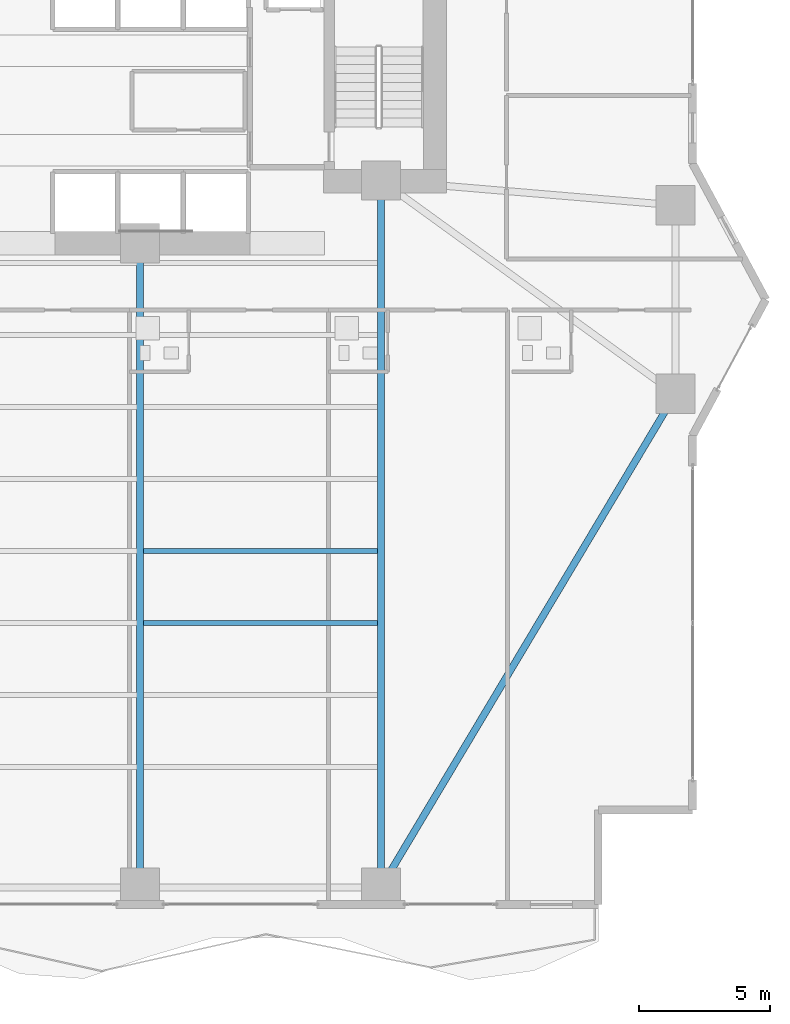
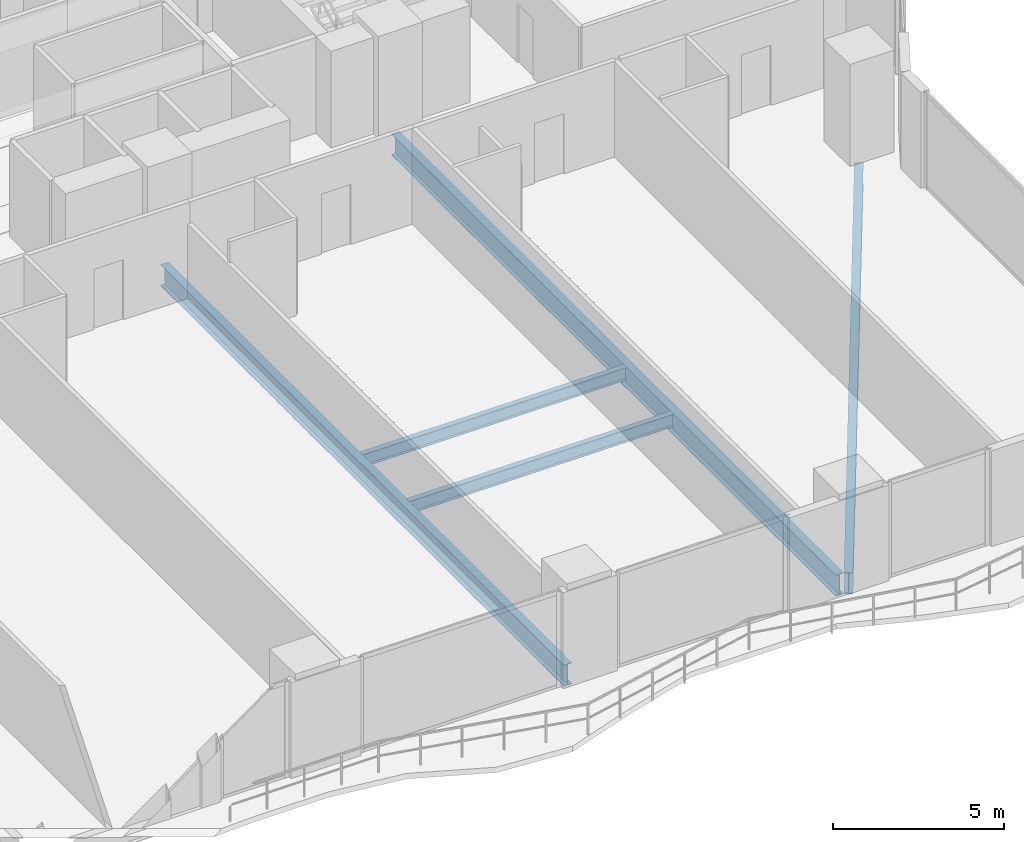
# One storey, part 9 of 28: 5 beams.
"""IFC4 building model written with IfcOpenShell, lengths in metres."""

from ifc_helpers import new_model, si_unit, direction, frame, origin, origin_2d, place, context, subcontext, project, spatial, i_section, extrude, material, material_profile, profile_set, type_object, element, save


model = new_model("IFC4")

# Units and contexts
model_context = context("Model", 3, precision=1e-05, world=origin(), true_north=direction((0.0, 1.0)))
body_context = subcontext(model_context, "Body", "Model", "MODEL_VIEW")
ifc_project = project(units=[si_unit("LENGTHUNIT", "METRE"), si_unit("AREAUNIT", "SQUARE_METRE"), si_unit("VOLUMEUNIT", "CUBIC_METRE"), si_unit("PLANEANGLEUNIT", "RADIAN"), si_unit("MASSUNIT", "GRAM", prefix="KILO")], contexts=[model_context])

# Site, building, storey
site_placement = place(None, origin())
site = spatial("IfcSite", under=ifc_project, at=site_placement, CompositionType="ELEMENT")
building_placement = place(site_placement, origin())
building = spatial("IfcBuilding", under=site, at=building_placement, Name="Zuhayl Quay Hotel", CompositionType="ELEMENT")
storey_placement = place(building_placement, frame((0.0, 0.0, 56.800048828125)))
storey = spatial("IfcBuildingStorey", under=building, at=storey_placement, Name="L13", CompositionType="ELEMENT", Elevation=56.800048828125)

# Beams
ifc_material = material(Name="Steel ASTM A992 Grade 50", Category="steel")
ifc_material_profile_1 = material_profile(ifc_material, i_section(OverallWidth=0.26708984375, OverallDepth=0.761962890625, WebThickness=0.014404296875, FlangeThickness=0.021484375, at=origin_2d()), Name="W30X116")
ifc_profile_set_1 = profile_set([ifc_material_profile_1], Name="Steel ASTM A992 Grade 50")
beam_type_1 = type_object("IfcBeamType", Name="BM_B1_W30X116", PredefinedType="BEAM", material=ifc_profile_set_1)
beam_1_placement = place(storey_placement, frame((14.05615234375, -22.020751953125, -0.60107421875), z_axis=(0.512482593247, 0.85869761361, 0.0), x_axis=(-0.85869761361, 0.512482593247, 0.0)))
element("IfcBeam", 1, at=beam_1_placement, inside=storey, type_object=beam_type_1, Name="L13 Floor Beam RG_L13_04", PredefinedType="BEAM", context=body_context, shape_type="SweptSolid", body=[
    extrude(i_section(OverallWidth=0.26708984375, OverallDepth=0.761962890625, WebThickness=0.014404296875, FlangeThickness=0.021484375, at=origin_2d()), origin(), (0.0, 0.0, 1.0), 20.9521484375),
])
beam_2_placement = place(storey_placement, frame((4.60009765625, -21.949951171875, -0.60107421875), z_axis=(0.0, 1.0, 0.0), x_axis=(-1.0, 0.0, 0.0)))
element("IfcBeam", 2, at=beam_2_placement, inside=storey, type_object=beam_type_1, Name="L13 Floor Beam FG_S_L13_3", PredefinedType="BEAM", context=body_context, shape_type="SweptSolid", body=[
    extrude(i_section(OverallWidth=0.26708984375, OverallDepth=0.761962890625, WebThickness=0.014404296875, FlangeThickness=0.021484375, at=origin_2d()), origin(), (0.0, 0.0, 1.0), 23.64990234375),
])
beam_3_placement = place(storey_placement, frame((13.800048828125, -21.949951171875, -0.60107421875), z_axis=(0.0, 1.0, 0.0), x_axis=(-1.0, 0.0, 0.0)))
element("IfcBeam", 3, at=beam_3_placement, inside=storey, type_object=beam_type_1, Name="L13 Floor Beam FG_S_L13_4", PredefinedType="BEAM", context=body_context, shape_type="SweptSolid", body=[
    extrude(i_section(OverallWidth=0.26708984375, OverallDepth=0.761962890625, WebThickness=0.014404296875, FlangeThickness=0.021484375, at=origin_2d()), origin(), (0.0, 0.0, 1.0), 26.050048828125),
])
ifc_material_profile_2 = material_profile(ifc_material, i_section(OverallWidth=0.18994140625, OverallDepth=0.45703125, WebThickness=0.009033203125, FlangeThickness=0.014404296875, at=origin_2d()), Name="W18X50")
ifc_profile_set_2 = profile_set([ifc_material_profile_2], Name="Steel ASTM A992 Grade 50")
beam_type_2 = type_object("IfcBeamType", Name="BM_J2_W18X50", PredefinedType="JOIST", material=ifc_profile_set_2)
for number, where, z_axis, x_axis, name in (
    (4, (4.7255859375, -12.35009765625, -0.448486328125), (1.0, 0.0, 0.0), (0.0, 1.0, 0.0), "L13 Floor Beam FJ_L13_5_3"),
    (5, (4.7255859375, -9.60009765625, -0.448486328125), (1.0, 0.0, 0.0), (0.0, 1.0, 0.0), "L13 Floor Beam FJ_L13_6_3"),
):
    element("IfcBeam", number, at=place(storey_placement, frame(where, z_axis=z_axis, x_axis=x_axis)), inside=storey, type_object=beam_type_2, Name=name, PredefinedType="JOIST", context=body_context, shape_type="SweptSolid", body=[
        extrude(i_section(OverallWidth=0.18994140625, OverallDepth=0.45703125, WebThickness=0.009033203125, FlangeThickness=0.014404296875, at=origin_2d()), origin(), (0.0, 0.0, 1.0), 8.948974609375),
    ])

save(model, "model.ifc")
